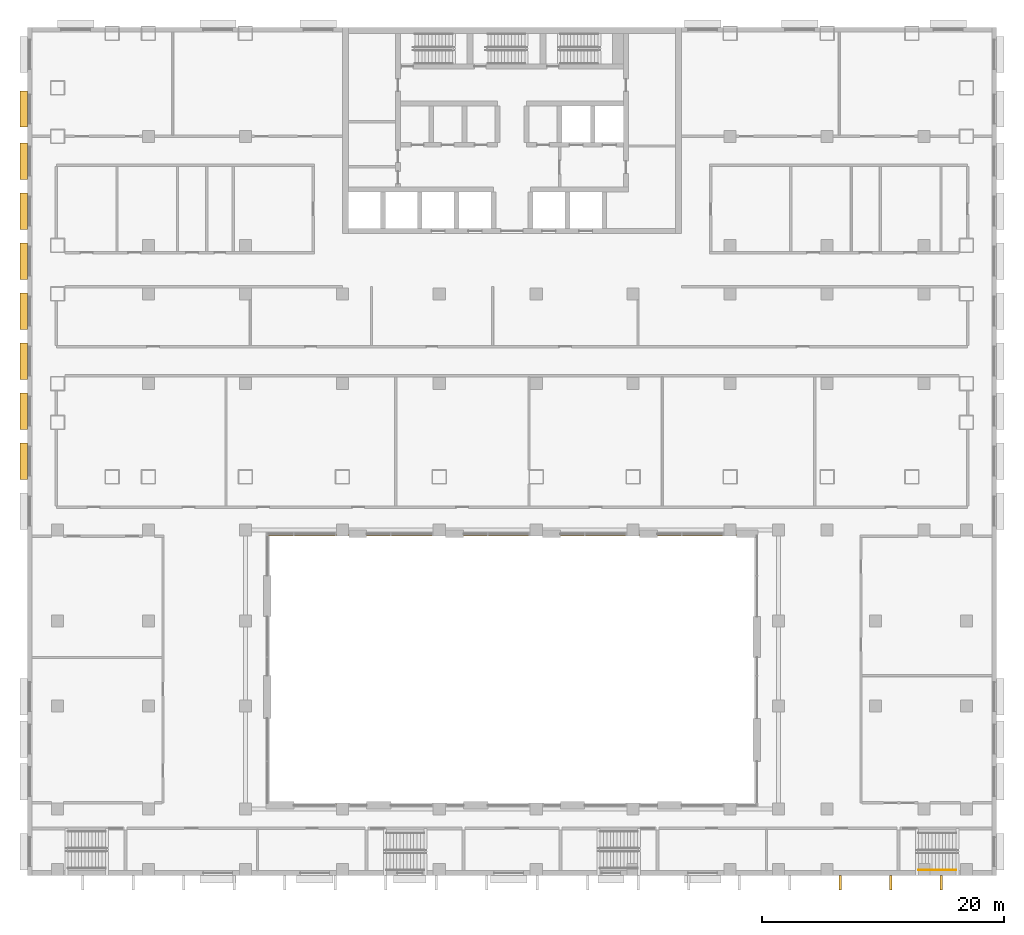
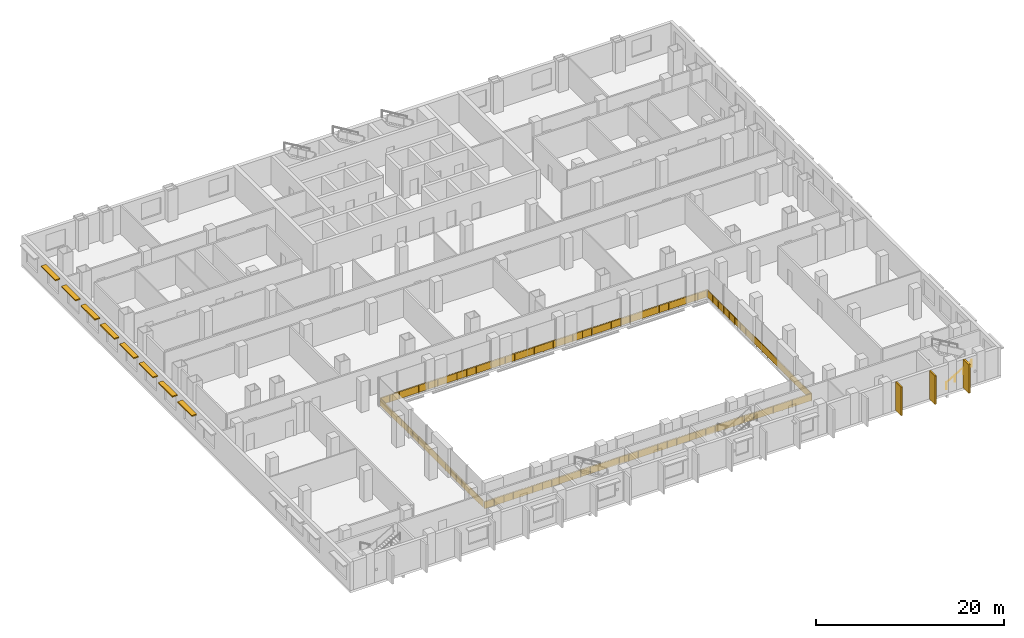
# One storey, part 21 of 25: 11 shading devices, 2 railings.
"""IFC4 building model written with IfcOpenShell, lengths in metres."""

from ifc_helpers import new_model, si_unit, direction, frame, frame_2d, origin, origin_2d, place, context, subcontext, project, spatial, rectangle, circle, extrude, material, layer, layer_set, type_object, element, save


model = new_model("IFC4")

# Units and contexts
model_context = context("Model", 3, precision=1e-05, world=origin(), true_north=direction((0.0, 1.0)))
body_context = subcontext(model_context, "Body", "Model", "MODEL_VIEW")
ifc_project = project(units=[si_unit("LENGTHUNIT", "METRE"), si_unit("AREAUNIT", "SQUARE_METRE"), si_unit("VOLUMEUNIT", "CUBIC_METRE"), si_unit("PLANEANGLEUNIT", "RADIAN"), si_unit("MASSUNIT", "GRAM", prefix="KILO")], contexts=[model_context])

# Site, building, storey
site_placement = place(None, origin())
site = spatial("IfcSite", under=ifc_project, at=site_placement, CompositionType="ELEMENT")
building_placement = place(site_placement, origin())
building = spatial("IfcBuilding", under=site, at=building_placement, Name="Vidyagriha Tower", CompositionType="ELEMENT")
storey_placement = place(building_placement, frame((0.0, 0.0, 18.0)))
storey = spatial("IfcBuildingStorey", under=building, at=storey_placement, Name="L04", CompositionType="ELEMENT", Elevation=18.0)

# Railing
ifc_material_1 = material(Name="Powder coated ASTM A500 Grade C steel balustrade", Category="steel")
railing_type_1 = type_object("IfcRailingType", Name="Atrium Gallery Guard 1100", PredefinedType="GUARDRAIL", material=ifc_material_1)
railing_1_placement = place(storey_placement, frame((-20.10009765625, -44.0, 0.0)))
element("IfcRailing", 1, at=railing_1_placement, inside=storey, type_object=railing_type_1, Name="L04 atrium gallery guard", PredefinedType="GUARDRAIL", context=body_context, shape_type="SweptSolid", body=[
    extrude(circle(Radius=0.02392578125, at=origin_2d()), frame((0.0, 0.0, 1.076171875), z_axis=(0.0, -1.0, 0.0), x_axis=(1.0, 0.0, 0.0)), (0.0, 0.0, 1.0), 0.10009765625),
    extrude(circle(Radius=0.02392578125, at=origin_2d()), frame((0.0, -0.10009765625, 1.076171875), z_axis=(1.0, 0.0, 0.0), x_axis=(0.0, 1.0, 0.0)), (0.0, 0.0, 1.0), 40.2001953125),
    extrude(circle(Radius=0.02392578125, at=origin_2d()), frame((40.2001953125, -0.10009765625, 1.076171875), z_axis=(0.0, 1.0, 0.0), x_axis=(-1.0, 0.0, 0.0)), (0.0, 0.0, 1.0), 22.2001953125),
    extrude(circle(Radius=0.02392578125, at=origin_2d()), frame((40.2001953125, 22.10009765625, 1.076171875), z_axis=(-1.0, 0.0, 0.0), x_axis=(0.0, -1.0, 0.0)), (0.0, 0.0, 1.0), 40.2001953125),
    extrude(circle(Radius=0.02392578125, at=origin_2d()), frame((0.0, 22.10009765625, 1.076171875), z_axis=(0.0, -1.0, 0.0), x_axis=(1.0, 0.0, 0.0)), (0.0, 0.0, 1.0), 22.0),
    extrude(circle(Radius=0.02099609375, at=origin_2d()), origin(), (0.0, 0.0, 1.0), 1.052001953125),
    extrude(circle(Radius=0.02099609375, at=origin_2d()), frame((0.0, -0.10009765625, 0.0)), (0.0, 0.0, 1.0), 1.052001953125),
    extrude(circle(Radius=0.02099609375, at=origin_2d()), frame((1.182373046875, -0.10009765625, 0.0)), (0.0, 0.0, 1.0), 1.052001953125),
    extrude(circle(Radius=0.02099609375, at=origin_2d()), frame((2.36474609375, -0.10009765625, 0.0)), (0.0, 0.0, 1.0), 1.052001953125),
    extrude(circle(Radius=0.02099609375, at=origin_2d()), frame((3.547119140625, -0.10009765625, 0.0)), (0.0, 0.0, 1.0), 1.052001953125),
    extrude(circle(Radius=0.02099609375, at=origin_2d()), frame((4.7294921875, -0.10009765625, 0.0)), (0.0, 0.0, 1.0), 1.052001953125),
    extrude(circle(Radius=0.02099609375, at=origin_2d()), frame((5.911865234375, -0.10009765625, 0.0)), (0.0, 0.0, 1.0), 1.052001953125),
    extrude(circle(Radius=0.02099609375, at=origin_2d()), frame((7.09423828125, -0.10009765625, 0.0)), (0.0, 0.0, 1.0), 1.052001953125),
    extrude(circle(Radius=0.02099609375, at=origin_2d()), frame((8.276611328125, -0.10009765625, 0.0)), (0.0, 0.0, 1.0), 1.052001953125),
    extrude(circle(Radius=0.02099609375, at=origin_2d()), frame((9.458984375, -0.10009765625, 0.0)), (0.0, 0.0, 1.0), 1.052001953125),
    extrude(circle(Radius=0.02099609375, at=origin_2d()), frame((10.64111328125, -0.10009765625, 0.0)), (0.0, 0.0, 1.0), 1.052001953125),
    extrude(circle(Radius=0.02099609375, at=origin_2d()), frame((11.823486328125, -0.10009765625, 0.0)), (0.0, 0.0, 1.0), 1.052001953125),
    extrude(circle(Radius=0.02099609375, at=origin_2d()), frame((13.005859375, -0.10009765625, 0.0)), (0.0, 0.0, 1.0), 1.052001953125),
    extrude(circle(Radius=0.02099609375, at=origin_2d()), frame((14.188232421875, -0.10009765625, 0.0)), (0.0, 0.0, 1.0), 1.052001953125),
    extrude(circle(Radius=0.02099609375, at=origin_2d()), frame((15.37060546875, -0.10009765625, 0.0)), (0.0, 0.0, 1.0), 1.052001953125),
    extrude(circle(Radius=0.02099609375, at=origin_2d()), frame((16.552978515625, -0.10009765625, 0.0)), (0.0, 0.0, 1.0), 1.052001953125),
    extrude(circle(Radius=0.02099609375, at=origin_2d()), frame((17.7353515625, -0.10009765625, 0.0)), (0.0, 0.0, 1.0), 1.052001953125),
    extrude(circle(Radius=0.02099609375, at=origin_2d()), frame((18.917724609375, -0.10009765625, 0.0)), (0.0, 0.0, 1.0), 1.052001953125),
    extrude(circle(Radius=0.02099609375, at=origin_2d()), frame((20.10009765625, -0.10009765625, 0.0)), (0.0, 0.0, 1.0), 1.052001953125),
    extrude(circle(Radius=0.02099609375, at=origin_2d()), frame((21.282470703125, -0.10009765625, 0.0)), (0.0, 0.0, 1.0), 1.052001953125),
    extrude(circle(Radius=0.02099609375, at=origin_2d()), frame((22.46484375, -0.10009765625, 0.0)), (0.0, 0.0, 1.0), 1.052001953125),
    extrude(circle(Radius=0.02099609375, at=origin_2d()), frame((23.647216796875, -0.10009765625, 0.0)), (0.0, 0.0, 1.0), 1.052001953125),
    extrude(circle(Radius=0.02099609375, at=origin_2d()), frame((24.82958984375, -0.10009765625, 0.0)), (0.0, 0.0, 1.0), 1.052001953125),
    extrude(circle(Radius=0.02099609375, at=origin_2d()), frame((26.011962890625, -0.10009765625, 0.0)), (0.0, 0.0, 1.0), 1.052001953125),
    extrude(circle(Radius=0.02099609375, at=origin_2d()), frame((27.1943359375, -0.10009765625, 0.0)), (0.0, 0.0, 1.0), 1.052001953125),
    extrude(circle(Radius=0.02099609375, at=origin_2d()), frame((28.376708984375, -0.10009765625, 0.0)), (0.0, 0.0, 1.0), 1.052001953125),
    extrude(circle(Radius=0.02099609375, at=origin_2d()), frame((29.55908203125, -0.10009765625, 0.0)), (0.0, 0.0, 1.0), 1.052001953125),
    extrude(circle(Radius=0.02099609375, at=origin_2d()), frame((30.7412109375, -0.10009765625, 0.0)), (0.0, 0.0, 1.0), 1.052001953125),
    extrude(circle(Radius=0.02099609375, at=origin_2d()), frame((31.923583984375, -0.10009765625, 0.0)), (0.0, 0.0, 1.0), 1.052001953125),
    extrude(circle(Radius=0.02099609375, at=origin_2d()), frame((33.10595703125, -0.10009765625, 0.0)), (0.0, 0.0, 1.0), 1.052001953125),
    extrude(circle(Radius=0.02099609375, at=origin_2d()), frame((34.288330078125, -0.10009765625, 0.0)), (0.0, 0.0, 1.0), 1.052001953125),
    extrude(circle(Radius=0.02099609375, at=origin_2d()), frame((35.470703125, -0.10009765625, 0.0)), (0.0, 0.0, 1.0), 1.052001953125),
    extrude(circle(Radius=0.02099609375, at=origin_2d()), frame((36.653076171875, -0.10009765625, 0.0)), (0.0, 0.0, 1.0), 1.052001953125),
    extrude(circle(Radius=0.02099609375, at=origin_2d()), frame((37.83544921875, -0.10009765625, 0.0)), (0.0, 0.0, 1.0), 1.052001953125),
    extrude(circle(Radius=0.02099609375, at=origin_2d()), frame((39.017822265625, -0.10009765625, 0.0)), (0.0, 0.0, 1.0), 1.052001953125),
    extrude(circle(Radius=0.02099609375, at=origin_2d()), frame((40.2001953125, -0.10009765625, 0.0)), (0.0, 0.0, 1.0), 1.052001953125),
    extrude(circle(Radius=0.02099609375, at=origin_2d()), frame((40.2001953125, 1.068359375, 0.0)), (0.0, 0.0, 1.0), 1.052001953125),
    extrude(circle(Radius=0.02099609375, at=origin_2d()), frame((40.2001953125, 2.23681640625, 0.0)), (0.0, 0.0, 1.0), 1.052001953125),
    extrude(circle(Radius=0.02099609375, at=origin_2d()), frame((40.2001953125, 3.4052734375, 0.0)), (0.0, 0.0, 1.0), 1.052001953125),
    extrude(circle(Radius=0.02099609375, at=origin_2d()), frame((40.2001953125, 4.57373046875, 0.0)), (0.0, 0.0, 1.0), 1.052001953125),
    extrude(circle(Radius=0.02099609375, at=origin_2d()), frame((40.2001953125, 5.741943359375, 0.0)), (0.0, 0.0, 1.0), 1.052001953125),
    extrude(circle(Radius=0.02099609375, at=origin_2d()), frame((40.2001953125, 6.910400390625, 0.0)), (0.0, 0.0, 1.0), 1.052001953125),
    extrude(circle(Radius=0.02099609375, at=origin_2d()), frame((40.2001953125, 8.078857421875, 0.0)), (0.0, 0.0, 1.0), 1.052001953125),
    extrude(circle(Radius=0.02099609375, at=origin_2d()), frame((40.2001953125, 9.247314453125, 0.0)), (0.0, 0.0, 1.0), 1.052001953125),
    extrude(circle(Radius=0.02099609375, at=origin_2d()), frame((40.2001953125, 10.415771484375, 0.0)), (0.0, 0.0, 1.0), 1.052001953125),
    extrude(circle(Radius=0.02099609375, at=origin_2d()), frame((40.2001953125, 11.584228515625, 0.0)), (0.0, 0.0, 1.0), 1.052001953125),
    extrude(circle(Radius=0.02099609375, at=origin_2d()), frame((40.2001953125, 12.752685546875, 0.0)), (0.0, 0.0, 1.0), 1.052001953125),
    extrude(circle(Radius=0.02099609375, at=origin_2d()), frame((40.2001953125, 13.921142578125, 0.0)), (0.0, 0.0, 1.0), 1.052001953125),
    extrude(circle(Radius=0.02099609375, at=origin_2d()), frame((40.2001953125, 15.089599609375, 0.0)), (0.0, 0.0, 1.0), 1.052001953125),
    extrude(circle(Radius=0.02099609375, at=origin_2d()), frame((40.2001953125, 16.258056640625, 0.0)), (0.0, 0.0, 1.0), 1.052001953125),
    extrude(circle(Radius=0.02099609375, at=origin_2d()), frame((40.2001953125, 17.42626953125, 0.0)), (0.0, 0.0, 1.0), 1.052001953125),
    extrude(circle(Radius=0.02099609375, at=origin_2d()), frame((40.2001953125, 18.5947265625, 0.0)), (0.0, 0.0, 1.0), 1.052001953125),
    extrude(circle(Radius=0.02099609375, at=origin_2d()), frame((40.2001953125, 19.76318359375, 0.0)), (0.0, 0.0, 1.0), 1.052001953125),
    extrude(circle(Radius=0.02099609375, at=origin_2d()), frame((40.2001953125, 20.931640625, 0.0)), (0.0, 0.0, 1.0), 1.052001953125),
    extrude(circle(Radius=0.02099609375, at=origin_2d()), frame((40.2001953125, 22.10009765625, 0.0)), (0.0, 0.0, 1.0), 1.052001953125),
    extrude(circle(Radius=0.02099609375, at=origin_2d()), frame((39.017822265625, 22.10009765625, 0.0)), (0.0, 0.0, 1.0), 1.052001953125),
    extrude(circle(Radius=0.02099609375, at=origin_2d()), frame((37.83544921875, 22.10009765625, 0.0)), (0.0, 0.0, 1.0), 1.052001953125),
    extrude(circle(Radius=0.02099609375, at=origin_2d()), frame((36.653076171875, 22.10009765625, 0.0)), (0.0, 0.0, 1.0), 1.052001953125),
    extrude(circle(Radius=0.02099609375, at=origin_2d()), frame((35.470703125, 22.10009765625, 0.0)), (0.0, 0.0, 1.0), 1.052001953125),
    extrude(circle(Radius=0.02099609375, at=origin_2d()), frame((34.288330078125, 22.10009765625, 0.0)), (0.0, 0.0, 1.0), 1.052001953125),
    extrude(circle(Radius=0.02099609375, at=origin_2d()), frame((33.10595703125, 22.10009765625, 0.0)), (0.0, 0.0, 1.0), 1.052001953125),
    extrude(circle(Radius=0.02099609375, at=origin_2d()), frame((31.923583984375, 22.10009765625, 0.0)), (0.0, 0.0, 1.0), 1.052001953125),
    extrude(circle(Radius=0.02099609375, at=origin_2d()), frame((30.7412109375, 22.10009765625, 0.0)), (0.0, 0.0, 1.0), 1.052001953125),
    extrude(circle(Radius=0.02099609375, at=origin_2d()), frame((29.55908203125, 22.10009765625, 0.0)), (0.0, 0.0, 1.0), 1.052001953125),
    extrude(circle(Radius=0.02099609375, at=origin_2d()), frame((28.376708984375, 22.10009765625, 0.0)), (0.0, 0.0, 1.0), 1.052001953125),
    extrude(circle(Radius=0.02099609375, at=origin_2d()), frame((27.1943359375, 22.10009765625, 0.0)), (0.0, 0.0, 1.0), 1.052001953125),
    extrude(circle(Radius=0.02099609375, at=origin_2d()), frame((26.011962890625, 22.10009765625, 0.0)), (0.0, 0.0, 1.0), 1.052001953125),
    extrude(circle(Radius=0.02099609375, at=origin_2d()), frame((24.82958984375, 22.10009765625, 0.0)), (0.0, 0.0, 1.0), 1.052001953125),
    extrude(circle(Radius=0.02099609375, at=origin_2d()), frame((23.647216796875, 22.10009765625, 0.0)), (0.0, 0.0, 1.0), 1.052001953125),
    extrude(circle(Radius=0.02099609375, at=origin_2d()), frame((22.46484375, 22.10009765625, 0.0)), (0.0, 0.0, 1.0), 1.052001953125),
    extrude(circle(Radius=0.02099609375, at=origin_2d()), frame((21.282470703125, 22.10009765625, 0.0)), (0.0, 0.0, 1.0), 1.052001953125),
    extrude(circle(Radius=0.02099609375, at=origin_2d()), frame((20.10009765625, 22.10009765625, 0.0)), (0.0, 0.0, 1.0), 1.052001953125),
    extrude(circle(Radius=0.02099609375, at=origin_2d()), frame((18.917724609375, 22.10009765625, 0.0)), (0.0, 0.0, 1.0), 1.052001953125),
    extrude(circle(Radius=0.02099609375, at=origin_2d()), frame((17.7353515625, 22.10009765625, 0.0)), (0.0, 0.0, 1.0), 1.052001953125),
    extrude(circle(Radius=0.02099609375, at=origin_2d()), frame((16.552978515625, 22.10009765625, 0.0)), (0.0, 0.0, 1.0), 1.052001953125),
    extrude(circle(Radius=0.02099609375, at=origin_2d()), frame((15.37060546875, 22.10009765625, 0.0)), (0.0, 0.0, 1.0), 1.052001953125),
    extrude(circle(Radius=0.02099609375, at=origin_2d()), frame((14.188232421875, 22.10009765625, 0.0)), (0.0, 0.0, 1.0), 1.052001953125),
    extrude(circle(Radius=0.02099609375, at=origin_2d()), frame((13.005859375, 22.10009765625, 0.0)), (0.0, 0.0, 1.0), 1.052001953125),
    extrude(circle(Radius=0.02099609375, at=origin_2d()), frame((11.823486328125, 22.10009765625, 0.0)), (0.0, 0.0, 1.0), 1.052001953125),
    extrude(circle(Radius=0.02099609375, at=origin_2d()), frame((10.64111328125, 22.10009765625, 0.0)), (0.0, 0.0, 1.0), 1.052001953125),
    extrude(circle(Radius=0.02099609375, at=origin_2d()), frame((9.458984375, 22.10009765625, 0.0)), (0.0, 0.0, 1.0), 1.052001953125),
    extrude(circle(Radius=0.02099609375, at=origin_2d()), frame((8.276611328125, 22.10009765625, 0.0)), (0.0, 0.0, 1.0), 1.052001953125),
    extrude(circle(Radius=0.02099609375, at=origin_2d()), frame((7.09423828125, 22.10009765625, 0.0)), (0.0, 0.0, 1.0), 1.052001953125),
    extrude(circle(Radius=0.02099609375, at=origin_2d()), frame((5.911865234375, 22.10009765625, 0.0)), (0.0, 0.0, 1.0), 1.052001953125),
    extrude(circle(Radius=0.02099609375, at=origin_2d()), frame((4.7294921875, 22.10009765625, 0.0)), (0.0, 0.0, 1.0), 1.052001953125),
    extrude(circle(Radius=0.02099609375, at=origin_2d()), frame((3.547119140625, 22.10009765625, 0.0)), (0.0, 0.0, 1.0), 1.052001953125),
    extrude(circle(Radius=0.02099609375, at=origin_2d()), frame((2.36474609375, 22.10009765625, 0.0)), (0.0, 0.0, 1.0), 1.052001953125),
    extrude(circle(Radius=0.02099609375, at=origin_2d()), frame((1.182373046875, 22.10009765625, 0.0)), (0.0, 0.0, 1.0), 1.052001953125),
    extrude(circle(Radius=0.02099609375, at=origin_2d()), frame((0.0, 22.10009765625, 0.0)), (0.0, 0.0, 1.0), 1.052001953125),
    extrude(circle(Radius=0.02099609375, at=origin_2d()), frame((0.0, 20.942138671875, 0.0)), (0.0, 0.0, 1.0), 1.052001953125),
    extrude(circle(Radius=0.02099609375, at=origin_2d()), frame((0.0, 19.784423828125, 0.0)), (0.0, 0.0, 1.0), 1.052001953125),
    extrude(circle(Radius=0.02099609375, at=origin_2d()), frame((0.0, 18.62646484375, 0.0)), (0.0, 0.0, 1.0), 1.052001953125),
    extrude(circle(Radius=0.02099609375, at=origin_2d()), frame((0.0, 17.468505859375, 0.0)), (0.0, 0.0, 1.0), 1.052001953125),
    extrude(circle(Radius=0.02099609375, at=origin_2d()), frame((0.0, 16.310546875, 0.0)), (0.0, 0.0, 1.0), 1.052001953125),
    extrude(circle(Radius=0.02099609375, at=origin_2d()), frame((0.0, 15.15283203125, 0.0)), (0.0, 0.0, 1.0), 1.052001953125),
    extrude(circle(Radius=0.02099609375, at=origin_2d()), frame((0.0, 13.994873046875, 0.0)), (0.0, 0.0, 1.0), 1.052001953125),
    extrude(circle(Radius=0.02099609375, at=origin_2d()), frame((0.0, 12.8369140625, 0.0)), (0.0, 0.0, 1.0), 1.052001953125),
    extrude(circle(Radius=0.02099609375, at=origin_2d()), frame((0.0, 11.678955078125, 0.0)), (0.0, 0.0, 1.0), 1.052001953125),
    extrude(circle(Radius=0.02099609375, at=origin_2d()), frame((0.0, 10.521240234375, 0.0)), (0.0, 0.0, 1.0), 1.052001953125),
    extrude(circle(Radius=0.02099609375, at=origin_2d()), frame((0.0, 9.36328125, 0.0)), (0.0, 0.0, 1.0), 1.052001953125),
    extrude(circle(Radius=0.02099609375, at=origin_2d()), frame((0.0, 8.205322265625, 0.0)), (0.0, 0.0, 1.0), 1.052001953125),
    extrude(circle(Radius=0.02099609375, at=origin_2d()), frame((0.0, 7.04736328125, 0.0)), (0.0, 0.0, 1.0), 1.052001953125),
    extrude(circle(Radius=0.02099609375, at=origin_2d()), frame((0.0, 5.8896484375, 0.0)), (0.0, 0.0, 1.0), 1.052001953125),
    extrude(circle(Radius=0.02099609375, at=origin_2d()), frame((0.0, 4.731689453125, 0.0)), (0.0, 0.0, 1.0), 1.052001953125),
    extrude(circle(Radius=0.02099609375, at=origin_2d()), frame((0.0, 3.57373046875, 0.0)), (0.0, 0.0, 1.0), 1.052001953125),
    extrude(circle(Radius=0.02099609375, at=origin_2d()), frame((0.0, 2.415771484375, 0.0)), (0.0, 0.0, 1.0), 1.052001953125),
    extrude(circle(Radius=0.02099609375, at=origin_2d()), frame((0.0, 1.258056640625, 0.0)), (0.0, 0.0, 1.0), 1.052001953125),
    extrude(circle(Radius=0.02099609375, at=origin_2d()), frame((0.0, 0.10009765625, 0.0)), (0.0, 0.0, 1.0), 1.052001953125),
    extrude(rectangle(XDim=0.010009765625, YDim=0.902099609375, at=origin_2d()), frame((0.0, 0.0, 0.551025390625), z_axis=(0.0, -1.0, 0.0), x_axis=(1.0, 0.0, 0.0)), (0.0, 0.0, 1.0), 0.10009765625),
    extrude(rectangle(XDim=0.010009765625, YDim=0.902099609375, at=origin_2d()), frame((0.0, -0.10009765625, 0.551025390625), z_axis=(1.0, 0.0, 0.0), x_axis=(0.0, 1.0, 0.0)), (0.0, 0.0, 1.0), 40.2001953125),
    extrude(rectangle(XDim=0.010009765625, YDim=0.902099609375, at=origin_2d()), frame((40.2001953125, -0.10009765625, 0.551025390625), z_axis=(0.0, 1.0, 0.0), x_axis=(-1.0, 0.0, 0.0)), (0.0, 0.0, 1.0), 22.2001953125),
    extrude(rectangle(XDim=0.010009765625, YDim=0.902099609375, at=origin_2d()), frame((40.2001953125, 22.10009765625, 0.551025390625), z_axis=(-1.0, 0.0, 0.0), x_axis=(0.0, -1.0, 0.0)), (0.0, 0.0, 1.0), 40.2001953125),
    extrude(rectangle(XDim=0.010009765625, YDim=0.902099609375, at=origin_2d()), frame((0.0, 22.10009765625, 0.551025390625), z_axis=(0.0, -1.0, 0.0), x_axis=(1.0, 0.0, 0.0)), (0.0, 0.0, 1.0), 22.0),
])

# Shading devices
ifc_material_2 = material(Name="Precast concrete C40/50 with brick facing", Category="concrete")
ifc_layer_1 = layer(ifc_material_2, 0.14990234375)
ifc_layer_set_1 = layer_set([ifc_layer_1], Name="Precast concrete C40/50 with brick facing")
shading_device_type_1 = type_object("IfcShadingDeviceType", Name="Brick chhajja window hood", PredefinedType="AWNING", material=ifc_layer_set_1)
for number, where, z_axis, x_axis, name in (
    (2, (-40.300048828125, 13.25, 3.0), (0.0, 0.0, 1.0), (0.0, -1.0, 0.0), "Window hood L04 R05.2"),
    (3, (-40.300048828125, 8.9375, 3.0), (0.0, 0.0, 1.0), (0.0, -1.0, 0.0), "Window hood L04 R05.3"),
    (4, (-40.300048828125, 4.8125, 3.0), (0.0, 0.0, 1.0), (0.0, -1.0, 0.0), "Window hood L04 R05.4"),
    (5, (-40.300048828125, 0.6875, 3.0), (0.0, 0.0, 1.0), (0.0, -1.0, 0.0), "Window hood L04 R05.5"),
    (6, (-40.300048828125, -3.4375, 3.0), (0.0, 0.0, 1.0), (0.0, -1.0, 0.0), "Window hood L04 R05.6"),
    (7, (-40.300048828125, -7.5625, 3.0), (0.0, 0.0, 1.0), (0.0, -1.0, 0.0), "Window hood L04 R05.7"),
    (8, (-40.300048828125, -11.6875, 3.0), (0.0, 0.0, 1.0), (0.0, -1.0, 0.0), "Window hood L04 R05.8"),
    (9, (-40.300048828125, -15.8125, 3.0), (0.0, 0.0, 1.0), (0.0, -1.0, 0.0), "Window hood L04 R05.9"),
):
    element("IfcShadingDevice", number, at=place(storey_placement, frame(where, z_axis=z_axis, x_axis=x_axis)), inside=storey, type_object=shading_device_type_1, Name=name, PredefinedType="AWNING", context=body_context, shape_type="SweptSolid", body=[
        extrude(rectangle(XDim=3.0, YDim=0.60009765625, at=origin_2d()), origin(), (0.0, 0.0, 1.0), 0.14990234375),
    ])
ifc_material_3 = material(Name="Precast concrete C40/50 with brick facing", Category="concrete")
ifc_layer_2 = layer(ifc_material_3, 0.199951171875)
ifc_layer_set_2 = layer_set([ifc_layer_2], Name="Precast concrete C40/50 with brick facing")
shading_device_type_2 = type_object("IfcShadingDeviceType", Name="Brick-faced solar fin 1200", PredefinedType="USERDEFINED", material=ifc_layer_set_2)
for number, where, z_axis, x_axis, name in (
    (10, (27.0947265625, -50.0, 0.0), (0.0, 0.0, 1.0), (0.0, -1.0, 0.0), "Solar fin L04 R06.16"),
    (11, (31.26318359375, -50.0, 0.0), (0.0, 0.0, 1.0), (0.0, -1.0, 0.0), "Solar fin L04 R06.17"),
    (12, (35.431640625, -50.0, 0.0), (0.0, 0.0, 1.0), (0.0, -1.0, 0.0), "Solar fin L04 R06.18"),
):
    element("IfcShadingDevice", number, at=place(storey_placement, frame(where, z_axis=z_axis, x_axis=x_axis)), inside=storey, type_object=shading_device_type_2, Name=name, ObjectType="SOLAR FIN", PredefinedType="USERDEFINED", context=body_context, shape_type="SweptSolid", body=[
        extrude(rectangle(XDim=1.199951171875, YDim=0.199951171875, at=frame_2d((0.60009765625, 0.0))), origin(), (0.0, 0.0, 1.0), 3.699951171875),
    ])

# Railing
ifc_material_4 = material(Name="Powder coated ASTM A500 Grade C steel handrail", Category="steel")
railing_type_2 = type_object("IfcRailingType", Name="Podium Stair Handrail 900", PredefinedType="HANDRAIL", material=ifc_material_4)
railing_2_placement = place(storey_placement, frame((33.544921875, -49.550048828125, 0.166748046875)))
element("IfcRailing", 13, at=railing_2_placement, inside=storey, type_object=railing_type_2, Name="L04 PS2 stair handrail 1", PredefinedType="HANDRAIL", context=body_context, shape_type="SweptSolid", body=[
    extrude(circle(Radius=0.02392578125, at=origin_2d()), frame((0.0, 0.0, 0.8759765625), z_axis=(0.859308565015, 0.0, 0.511457515432), x_axis=(0.0, 1.0, 0.0)), (0.0, 0.0, 1.0), 3.58447265625),
    extrude(circle(Radius=0.02099609375, at=origin_2d()), origin(), (0.0, 0.0, 1.0), 0.851806640625),
    extrude(circle(Radius=0.02099609375, at=origin_2d()), frame((1.026611328125, 0.0, 0.611083984375)), (0.0, 0.0, 1.0), 0.851806640625),
    extrude(circle(Radius=0.02099609375, at=origin_2d()), frame((2.053466796875, 0.0, 1.22216796875)), (0.0, 0.0, 1.0), 0.851806640625),
    extrude(circle(Radius=0.02099609375, at=origin_2d()), frame((3.080078125, 0.0, 1.833251953125)), (0.0, 0.0, 1.0), 0.851806640625),
])

save(model, "model.ifc")
